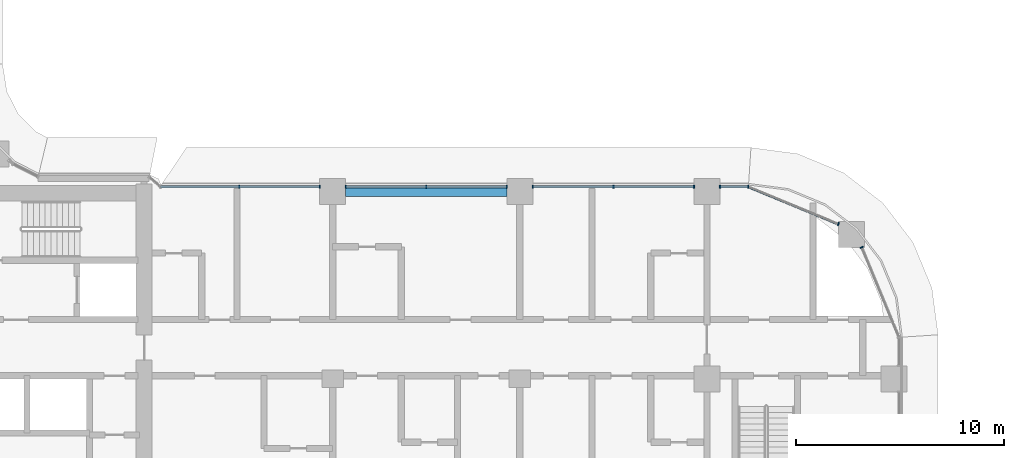
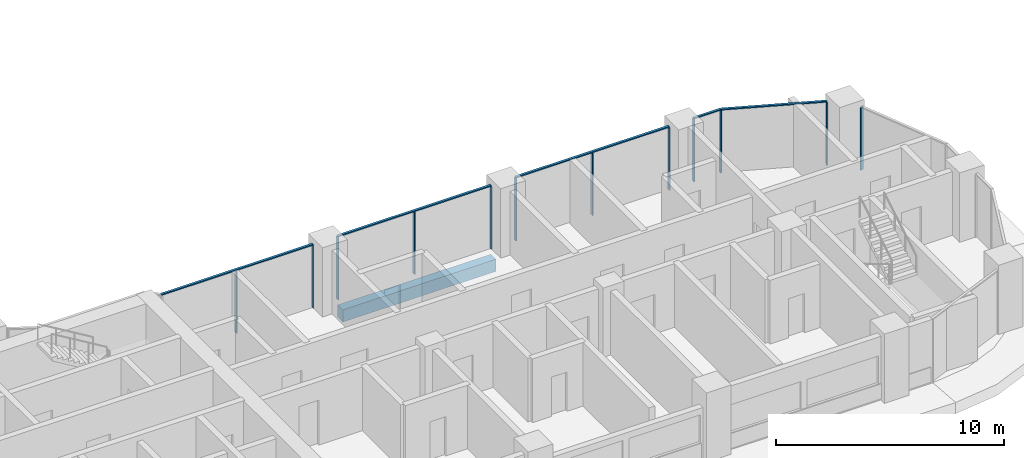
# One storey, part 4 of 33: 17 members, 1 beam, 6 elements without a shape of their own.
"""IFC4 building model written with IfcOpenShell, lengths in metres."""

from ifc_helpers import new_model, si_unit, direction, frame, origin, origin_2d, place, context, subcontext, project, spatial, rectangle, extrude, material, material_profile, profile_set, type_object, element, aggregate, save


model = new_model("IFC4")

# Units and contexts
model_context = context("Model", 3, precision=1e-05, world=origin(), true_north=direction((0.0, 1.0)))
body_context = subcontext(model_context, "Body", "Model", "MODEL_VIEW")
ifc_project = project(units=[si_unit("LENGTHUNIT", "METRE"), si_unit("AREAUNIT", "SQUARE_METRE"), si_unit("VOLUMEUNIT", "CUBIC_METRE"), si_unit("PLANEANGLEUNIT", "RADIAN"), si_unit("MASSUNIT", "GRAM", prefix="KILO")], contexts=[model_context])

# Site, building, storey
site_placement = place(None, origin())
site = spatial("IfcSite", under=ifc_project, at=site_placement, CompositionType="ELEMENT")
building_placement = place(site_placement, origin())
building = spatial("IfcBuilding", under=site, at=building_placement, Name="Ogive Portal Towers", CompositionType="ELEMENT")
storey_placement = place(building_placement, frame((0.0, 0.0, 98.199951171875)))
storey = spatial("IfcBuildingStorey", under=building, at=storey_placement, Name="L23", CompositionType="ELEMENT", Elevation=98.199951171875)

# Curtain wall, members
ifc_material_1 = material(Name="Glass, clear low-iron insulated glazing", Category="glass")
curtain_wall_type = type_object("IfcCurtainWallType", Name="CW FRONT RIBBON 4500", PredefinedType="NOTDEFINED", material=ifc_material_1)
curtain_wall_1_placement = place(storey_placement, origin())
curtain_wall_1 = element("IfcCurtainWall", 1, at=curtain_wall_1_placement, inside=storey, type_object=curtain_wall_type, Name="A:L23:f26:cw0~0", PredefinedType="NOTDEFINED")
ifc_material_2 = material(Name="Aluminium 6063 anodised", Category="aluminium")
ifc_material_profile_1 = material_profile(ifc_material_2, rectangle(XDim=0.159912109375, YDim=0.06005859375, at=origin_2d()), Name="AL 60x160")
ifc_profile_set_1 = profile_set([ifc_material_profile_1], Name="Aluminium 6063 anodised")
member_type_1 = type_object("IfcMemberType", Name="CW MULLION 60x160", PredefinedType="MULLION", material=ifc_profile_set_1)
member_1_placement = place(storey_placement, frame((87.484130859375, 39.739990234375, 0.0), z_axis=(0.0, 0.0, 1.0), x_axis=(0.0, -1.0, 0.0)))
member_1 = element("IfcMember", 2, at=member_1_placement, type_object=member_type_1, Name="mullion", PredefinedType="MULLION", context=body_context, shape_type="SweptSolid", body=[
    extrude(rectangle(XDim=0.159912109375, YDim=0.06005859375, at=origin_2d()), origin(), (0.0, 0.0, 1.0), 3.340087890625),
])
member_2_placement = place(storey_placement, frame((86.125, 39.739990234375, 0.0), z_axis=(0.0, 0.0, 1.0), x_axis=(0.0, -1.0, 0.0)))
member_2 = element("IfcMember", 3, at=member_2_placement, type_object=member_type_1, Name="mullion", PredefinedType="MULLION", context=body_context, shape_type="SweptSolid", body=[
    extrude(rectangle(XDim=0.159912109375, YDim=0.06005859375, at=origin_2d()), origin(), (0.0, 0.0, 1.0), 3.340087890625),
])

curtain_wall_2_placement = place(storey_placement, origin())
curtain_wall_2 = element("IfcCurtainWall", 4, at=curtain_wall_2_placement, inside=storey, type_object=curtain_wall_type, Name="A:L23:f26:cw0~1", PredefinedType="NOTDEFINED")
member_3_placement = place(storey_placement, frame((84.875, 39.739990234375, 0.0), z_axis=(0.0, 0.0, 1.0), x_axis=(0.0, -1.0, 0.0)))
member_3 = element("IfcMember", 5, at=member_3_placement, type_object=member_type_1, Name="mullion", PredefinedType="MULLION", context=body_context, shape_type="SweptSolid", body=[
    extrude(rectangle(XDim=0.159912109375, YDim=0.06005859375, at=origin_2d()), origin(), (0.0, 0.0, 1.0), 3.340087890625),
])
member_4_placement = place(storey_placement, frame((81.0, 39.739990234375, 0.0), z_axis=(0.0, 0.0, 1.0), x_axis=(0.0, -1.0, 0.0)))
member_4 = element("IfcMember", 6, at=member_4_placement, type_object=member_type_1, Name="mullion", PredefinedType="MULLION", context=body_context, shape_type="SweptSolid", body=[
    extrude(rectangle(XDim=0.159912109375, YDim=0.06005859375, at=origin_2d()), origin(), (0.0, 0.0, 1.0), 3.340087890625),
])
member_5_placement = place(storey_placement, frame((77.125, 39.739990234375, 0.0), z_axis=(0.0, 0.0, 1.0), x_axis=(0.0, -1.0, 0.0)))
member_5 = element("IfcMember", 7, at=member_5_placement, type_object=member_type_1, Name="mullion", PredefinedType="MULLION", context=body_context, shape_type="SweptSolid", body=[
    extrude(rectangle(XDim=0.159912109375, YDim=0.06005859375, at=origin_2d()), origin(), (0.0, 0.0, 1.0), 3.340087890625),
])

curtain_wall_3_placement = place(storey_placement, origin())
curtain_wall_3 = element("IfcCurtainWall", 8, at=curtain_wall_3_placement, inside=storey, type_object=curtain_wall_type, Name="A:L23:f26:cw0~2", PredefinedType="NOTDEFINED")
member_6_placement = place(storey_placement, frame((75.875, 39.739990234375, 0.0), z_axis=(0.0, 0.0, 1.0), x_axis=(0.0, -1.0, 0.0)))
member_6 = element("IfcMember", 9, at=member_6_placement, type_object=member_type_1, Name="mullion", PredefinedType="MULLION", context=body_context, shape_type="SweptSolid", body=[
    extrude(rectangle(XDim=0.159912109375, YDim=0.06005859375, at=origin_2d()), origin(), (0.0, 0.0, 1.0), 3.340087890625),
])
member_7_placement = place(storey_placement, frame((72.0, 39.739990234375, 0.0), z_axis=(0.0, 0.0, 1.0), x_axis=(0.0, -1.0, 0.0)))
member_7 = element("IfcMember", 10, at=member_7_placement, type_object=member_type_1, Name="mullion", PredefinedType="MULLION", context=body_context, shape_type="SweptSolid", body=[
    extrude(rectangle(XDim=0.159912109375, YDim=0.06005859375, at=origin_2d()), origin(), (0.0, 0.0, 1.0), 3.340087890625),
])
member_8_placement = place(storey_placement, frame((68.125, 39.739990234375, 0.0), z_axis=(0.0, 0.0, 1.0), x_axis=(0.0, -1.0, 0.0)))
member_8 = element("IfcMember", 11, at=member_8_placement, type_object=member_type_1, Name="mullion", PredefinedType="MULLION", context=body_context, shape_type="SweptSolid", body=[
    extrude(rectangle(XDim=0.159912109375, YDim=0.06005859375, at=origin_2d()), origin(), (0.0, 0.0, 1.0), 3.340087890625),
])

curtain_wall_4_placement = place(storey_placement, origin())
curtain_wall_4 = element("IfcCurtainWall", 12, at=curtain_wall_4_placement, inside=storey, type_object=curtain_wall_type, Name="A:L23:f26:cw0~3", PredefinedType="NOTDEFINED")
member_9_placement = place(storey_placement, frame((66.875, 39.739990234375, 0.0), z_axis=(0.0, 0.0, 1.0), x_axis=(0.0, -1.0, 0.0)))
member_9 = element("IfcMember", 13, at=member_9_placement, type_object=member_type_1, Name="mullion", PredefinedType="MULLION", context=body_context, shape_type="SweptSolid", body=[
    extrude(rectangle(XDim=0.159912109375, YDim=0.06005859375, at=origin_2d()), origin(), (0.0, 0.0, 1.0), 3.340087890625),
])
member_10_placement = place(storey_placement, frame((63.0, 39.739990234375, 0.0), z_axis=(0.0, 0.0, 1.0), x_axis=(0.0, -1.0, 0.0)))
member_10 = element("IfcMember", 14, at=member_10_placement, type_object=member_type_1, Name="mullion", PredefinedType="MULLION", context=body_context, shape_type="SweptSolid", body=[
    extrude(rectangle(XDim=0.159912109375, YDim=0.06005859375, at=origin_2d()), origin(), (0.0, 0.0, 1.0), 3.340087890625),
])

# Curtain wall, member
curtain_wall_5_placement = place(storey_placement, origin())
curtain_wall_5 = element("IfcCurtainWall", 15, at=curtain_wall_5_placement, inside=storey, type_object=curtain_wall_type, Name="A:L23:f24:cwa~0", PredefinedType="NOTDEFINED")
member_11_placement = place(storey_placement, frame((92.94189453125, 36.824951171875, 0.0), z_axis=(0.0, 0.0, 1.0), x_axis=(-0.923879532511, -0.382683432365, 0.0)))
member_11 = element("IfcMember", 16, at=member_11_placement, type_object=member_type_1, Name="mullion", PredefinedType="MULLION", context=body_context, shape_type="SweptSolid", body=[
    extrude(rectangle(XDim=0.159912109375, YDim=0.06005859375, at=origin_2d()), origin(), (0.0, 0.0, 1.0), 3.340087890625),
])
aggregate(curtain_wall_5, [member_11])

curtain_wall_6_placement = place(storey_placement, origin())
curtain_wall_6 = element("IfcCurtainWall", 17, at=curtain_wall_6_placement, inside=storey, type_object=curtain_wall_type, Name="A:L23:f24:cwa~1", PredefinedType="NOTDEFINED")
member_12_placement = place(storey_placement, frame((91.824951171875, 37.94189453125, 0.0), z_axis=(0.0, 0.0, 1.0), x_axis=(-0.382683432365, -0.923879532511, 0.0)))
member_12 = element("IfcMember", 18, at=member_12_placement, type_object=member_type_1, Name="mullion", PredefinedType="MULLION", context=body_context, shape_type="SweptSolid", body=[
    extrude(rectangle(XDim=0.159912109375, YDim=0.06005859375, at=origin_2d()), origin(), (0.0, 0.0, 1.0), 3.340087890625),
])

# Member
ifc_material_profile_2 = material_profile(ifc_material_2, rectangle(XDim=0.1201171875, YDim=0.06005859375, at=origin_2d()), Name="AL 120x60")
ifc_profile_set_2 = profile_set([ifc_material_profile_2], Name="Aluminium 6063 anodised")
member_type_2 = type_object("IfcMemberType", Name="CW TRANSOM 60x120", PredefinedType="USERDEFINED", material=ifc_profile_set_2)
member_13_placement = place(storey_placement, frame((87.484130859375, 39.739990234375, 3.3701171875), z_axis=(-1.0, 0.0, 0.0), x_axis=(0.0, -1.0, 0.0)))
member_13 = element("IfcMember", 19, at=member_13_placement, type_object=member_type_2, Name="transom", ObjectType="TRANSOM", PredefinedType="USERDEFINED", context=body_context, shape_type="SweptSolid", body=[
    extrude(rectangle(XDim=0.1201171875, YDim=0.06005859375, at=origin_2d()), origin(), (0.0, 0.0, 1.0), 1.359130859375),
])

aggregate(curtain_wall_1, [member_13, member_1, member_2])

member_14_placement = place(storey_placement, frame((84.875, 39.739990234375, 3.3701171875), z_axis=(-1.0, 0.0, 0.0), x_axis=(0.0, -1.0, 0.0)))
member_14 = element("IfcMember", 20, at=member_14_placement, type_object=member_type_2, Name="transom", ObjectType="TRANSOM", PredefinedType="USERDEFINED", context=body_context, shape_type="SweptSolid", body=[
    extrude(rectangle(XDim=0.1201171875, YDim=0.06005859375, at=origin_2d()), origin(), (0.0, 0.0, 1.0), 7.75),
])

aggregate(curtain_wall_2, [member_14, member_3, member_4, member_5])

member_15_placement = place(storey_placement, frame((75.875, 39.739990234375, 3.3701171875), z_axis=(-1.0, 0.0, 0.0), x_axis=(0.0, -1.0, 0.0)))
member_15 = element("IfcMember", 21, at=member_15_placement, type_object=member_type_2, Name="transom", ObjectType="TRANSOM", PredefinedType="USERDEFINED", context=body_context, shape_type="SweptSolid", body=[
    extrude(rectangle(XDim=0.1201171875, YDim=0.06005859375, at=origin_2d()), origin(), (0.0, 0.0, 1.0), 7.75),
])

aggregate(curtain_wall_3, [member_15, member_6, member_7, member_8])

member_16_placement = place(storey_placement, frame((66.875, 39.739990234375, 3.3701171875), z_axis=(-1.0, 0.0, 0.0), x_axis=(0.0, -1.0, 0.0)))
member_16 = element("IfcMember", 22, at=member_16_placement, type_object=member_type_2, Name="transom", ObjectType="TRANSOM", PredefinedType="USERDEFINED", context=body_context, shape_type="SweptSolid", body=[
    extrude(rectangle(XDim=0.1201171875, YDim=0.06005859375, at=origin_2d()), origin(), (0.0, 0.0, 1.0), 7.65478515625),
])

aggregate(curtain_wall_4, [member_16, member_9, member_10])

member_17_placement = place(storey_placement, frame((91.824951171875, 37.94189453125, 3.3701171875), z_axis=(-0.923874335946, 0.382695977742, 0.0), x_axis=(-0.382695977742, -0.923874335946, 0.0)))
member_17 = element("IfcMember", 23, at=member_17_placement, type_object=member_type_2, Name="transom", ObjectType="TRANSOM", PredefinedType="USERDEFINED", context=body_context, shape_type="SweptSolid", body=[
    extrude(rectangle(XDim=0.1201171875, YDim=0.06005859375, at=origin_2d()), origin(), (0.0, 0.0, 1.0), 4.698486328125),
])

aggregate(curtain_wall_6, [member_17, member_12])

# Beam
ifc_material_3 = material(Name="Concrete C50/60", Category="concrete")
ifc_material_profile_3 = material_profile(ifc_material_3, rectangle(XDim=0.449951171875, YDim=0.64990234375, at=origin_2d()), Name="RC 450x650")
ifc_profile_set_3 = profile_set([ifc_material_profile_3], Name="Concrete C50/60")
beam_type = type_object("IfcBeamType", Name="SPANDREL BEAM RC 450x650", PredefinedType="BEAM", material=ifc_profile_set_3)
beam_placement = place(storey_placement, frame((68.125, 39.5, -0.625), z_axis=(1.0, 0.0, 0.0), x_axis=(0.0, 1.0, 0.0)))
element("IfcBeam", 24, at=beam_placement, inside=storey, type_object=beam_type, Name="Spandrel beam L23", PredefinedType="BEAM", context=body_context, shape_type="SweptSolid", body=[
    extrude(rectangle(XDim=0.449951171875, YDim=0.64990234375, at=origin_2d()), origin(), (0.0, 0.0, 1.0), 7.75),
])

save(model, "model.ifc")
